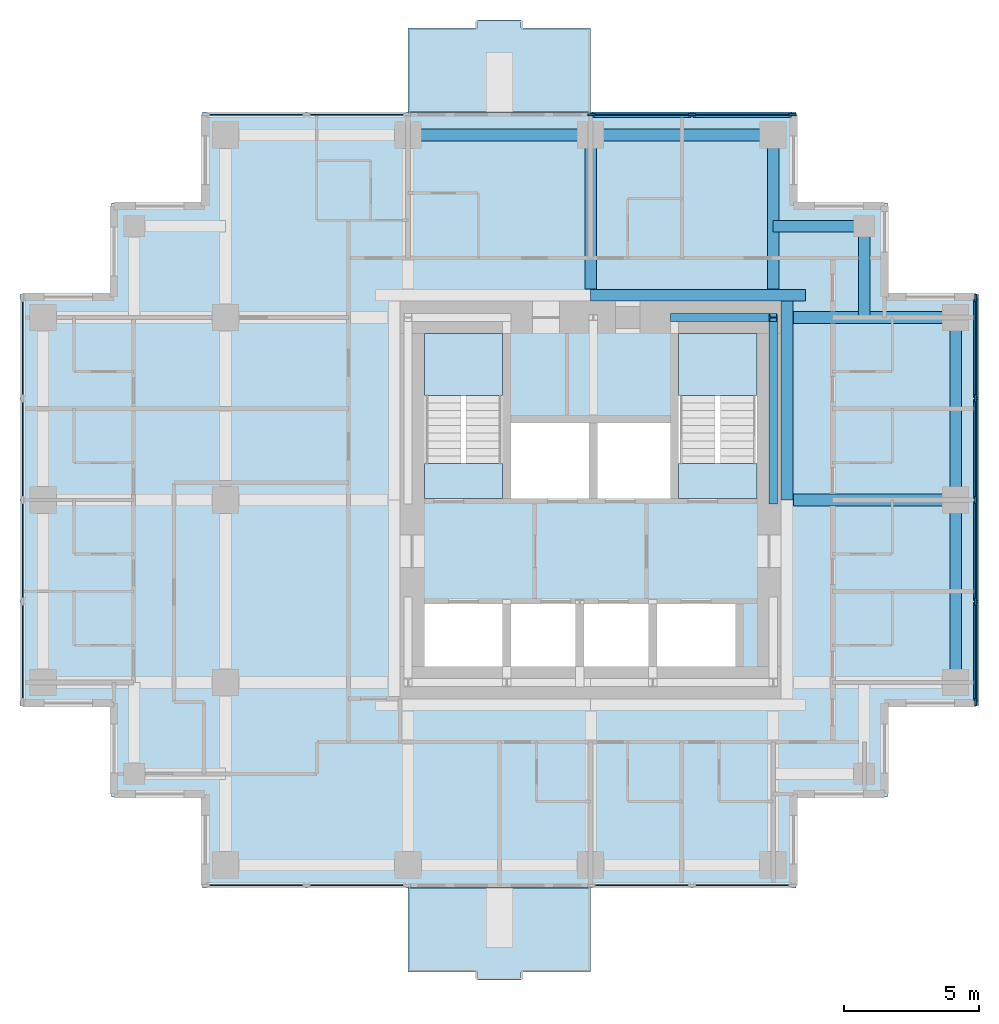
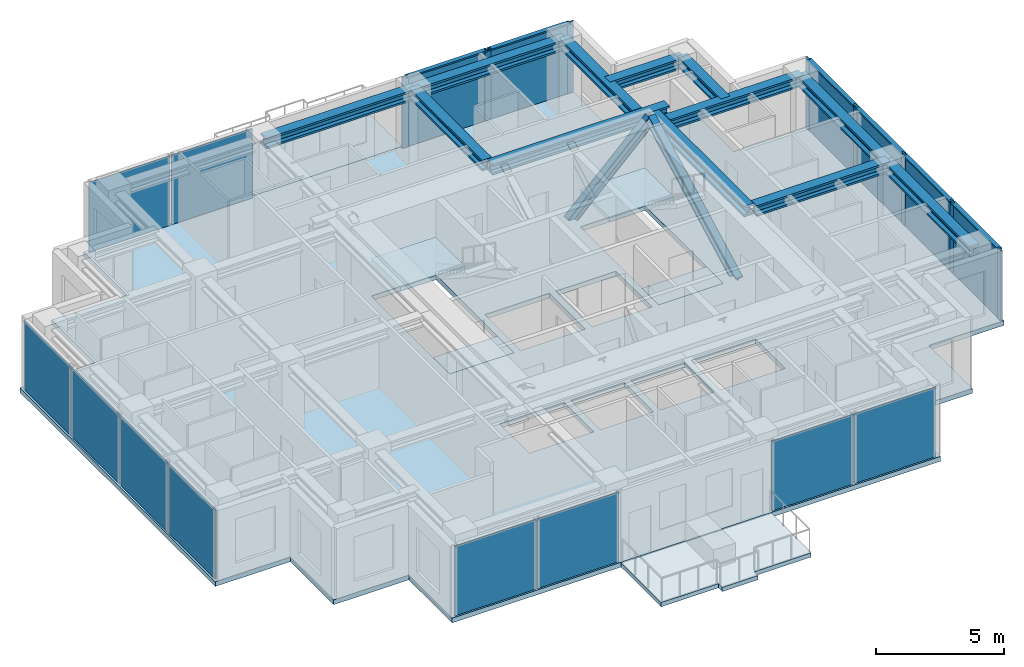
# One storey, part 2 of 8: 16 members, 16 plates, 12 beams, 7 slabs, 8 elements without a shape of their own.
"""IFC4 building model written with IfcOpenShell, lengths in metres."""

from ifc_helpers import new_model, si_unit, direction, frame, origin, origin_2d, place, context, subcontext, project, spatial, polyline, rectangle, i_section, outline, extrude, material, layer, layer_set, material_profile, profile_set, type_object, element, aggregate, save


model = new_model("IFC4")

# Units and contexts
model_context = context("Model", 3, precision=1e-05, world=origin(), true_north=direction((0.0, 1.0)))
body_context = subcontext(model_context, "Body", "Model", "MODEL_VIEW")
ifc_project = project(units=[si_unit("LENGTHUNIT", "METRE"), si_unit("AREAUNIT", "SQUARE_METRE"), si_unit("VOLUMEUNIT", "CUBIC_METRE"), si_unit("PLANEANGLEUNIT", "RADIAN"), si_unit("MASSUNIT", "GRAM", prefix="KILO")], contexts=[model_context])

# Site, building, storey
site_placement = place(None, origin())
site = spatial("IfcSite", under=ifc_project, at=site_placement, CompositionType="ELEMENT")
building_placement = place(site_placement, origin())
building = spatial("IfcBuilding", under=site, at=building_placement, Name="Nyansa Garden Tower", CompositionType="ELEMENT")
storey_placement = place(building_placement, frame((0.0, 0.0, 240.300048828125)))
storey = spatial("IfcBuildingStorey", under=building, at=storey_placement, Name="L65", CompositionType="ELEMENT", Elevation=240.300048828125)

# Curtain wall, members
ifc_material_1 = material(Name="Black anodised aluminium, dark tinted double glazing", Category="aluminium")
curtain_wall_type = type_object("IfcCurtainWallType", Name="Inner skin curtain wall ISW-D", PredefinedType="USERDEFINED", material=ifc_material_1)
curtain_wall_1_placement = place(storey_placement, origin())
curtain_wall_1 = element("IfcCurtainWall", 1, at=curtain_wall_1_placement, inside=storey, type_object=curtain_wall_type, Name="Inner skin curtain wall L65 E", ObjectType="UNITISED CURTAIN WALL", PredefinedType="USERDEFINED")
ifc_material_2 = material(Name="Black anodised aluminium", Category="aluminium")
ifc_material_profile_1 = material_profile(ifc_material_2, rectangle(XDim=0.070068359375, YDim=0.27490234375, at=origin_2d()), Name="Mullion 275x70")
ifc_profile_set_1 = profile_set([ifc_material_profile_1], Name="Black anodised aluminium")
member_type_1 = type_object("IfcMemberType", Name="Mullion ISW-D 275x70", PredefinedType="MULLION", material=ifc_profile_set_1)
member_1_placement = place(storey_placement, frame((34.5, 12.784912109375, 0.0), z_axis=(0.0, 0.0, 1.0), x_axis=(-1.0, 0.0, 0.0)))
member_1 = element("IfcMember", 2, at=member_1_placement, type_object=member_type_1, Name="ISW-D mullion 1", PredefinedType="MULLION", context=body_context, shape_type="SweptSolid", body=[
    extrude(rectangle(XDim=0.070068359375, YDim=0.27490234375, at=origin_2d()), origin(), (0.0, 0.0, 1.0), 3.375),
])
member_2_placement = place(storey_placement, frame((34.5, 16.5, 0.0), z_axis=(0.0, 0.0, 1.0), x_axis=(-1.0, 0.0, 0.0)))
member_2 = element("IfcMember", 3, at=member_2_placement, type_object=member_type_1, Name="ISW-D mullion 2", PredefinedType="MULLION", context=body_context, shape_type="SweptSolid", body=[
    extrude(rectangle(XDim=0.070068359375, YDim=0.27490234375, at=origin_2d()), origin(), (0.0, 0.0, 1.0), 3.375),
])
member_3_placement = place(storey_placement, frame((34.5, 20.25, 0.0), z_axis=(0.0, 0.0, 1.0), x_axis=(-1.0, 0.0, 0.0)))
member_3 = element("IfcMember", 4, at=member_3_placement, type_object=member_type_1, Name="ISW-D mullion 3", PredefinedType="MULLION", context=body_context, shape_type="SweptSolid", body=[
    extrude(rectangle(XDim=0.070068359375, YDim=0.27490234375, at=origin_2d()), origin(), (0.0, 0.0, 1.0), 3.375),
])
member_4_placement = place(storey_placement, frame((34.5, 24.0, 0.0), z_axis=(0.0, 0.0, 1.0), x_axis=(-1.0, 0.0, 0.0)))
member_4 = element("IfcMember", 5, at=member_4_placement, type_object=member_type_1, Name="ISW-D mullion 4", PredefinedType="MULLION", context=body_context, shape_type="SweptSolid", body=[
    extrude(rectangle(XDim=0.070068359375, YDim=0.27490234375, at=origin_2d()), origin(), (0.0, 0.0, 1.0), 3.375),
])
member_5_placement = place(storey_placement, frame((34.5, 27.715087890625, 0.0), z_axis=(0.0, 0.0, 1.0), x_axis=(-1.0, 0.0, 0.0)))
member_5 = element("IfcMember", 6, at=member_5_placement, type_object=member_type_1, Name="ISW-D mullion 5", PredefinedType="MULLION", context=body_context, shape_type="SweptSolid", body=[
    extrude(rectangle(XDim=0.070068359375, YDim=0.27490234375, at=origin_2d()), origin(), (0.0, 0.0, 1.0), 3.375),
])

curtain_wall_2_placement = place(storey_placement, origin())
curtain_wall_2 = element("IfcCurtainWall", 7, at=curtain_wall_2_placement, inside=storey, type_object=curtain_wall_type, Name="Inner skin curtain wall L65 N", ObjectType="UNITISED CURTAIN WALL", PredefinedType="USERDEFINED")
member_6_placement = place(storey_placement, frame((27.715087890625, 34.5, 0.0), z_axis=(0.0, 0.0, 1.0), x_axis=(0.0, -1.0, 0.0)))
member_6 = element("IfcMember", 8, at=member_6_placement, type_object=member_type_1, Name="ISW-D mullion 1", PredefinedType="MULLION", context=body_context, shape_type="SweptSolid", body=[
    extrude(rectangle(XDim=0.070068359375, YDim=0.27490234375, at=origin_2d()), origin(), (0.0, 0.0, 1.0), 3.375),
])
member_7_placement = place(storey_placement, frame((24.0, 34.5, 0.0), z_axis=(0.0, 0.0, 1.0), x_axis=(0.0, -1.0, 0.0)))
member_7 = element("IfcMember", 9, at=member_7_placement, type_object=member_type_1, Name="ISW-D mullion 2", PredefinedType="MULLION", context=body_context, shape_type="SweptSolid", body=[
    extrude(rectangle(XDim=0.070068359375, YDim=0.27490234375, at=origin_2d()), origin(), (0.0, 0.0, 1.0), 3.375),
])
member_8_placement = place(storey_placement, frame((20.284912109375, 34.5, 0.0), z_axis=(0.0, 0.0, 1.0), x_axis=(0.0, -1.0, 0.0)))
member_8 = element("IfcMember", 10, at=member_8_placement, type_object=member_type_1, Name="ISW-D mullion 3", PredefinedType="MULLION", context=body_context, shape_type="SweptSolid", body=[
    extrude(rectangle(XDim=0.070068359375, YDim=0.27490234375, at=origin_2d()), origin(), (0.0, 0.0, 1.0), 3.375),
])

# Members
ifc_material_3 = material(Name="Steel S355", Category="steel")
ifc_material_profile_2 = material_profile(ifc_material_3, i_section(OverallWidth=0.306884765625, OverallDepth=0.431884765625, WebThickness=0.02099609375, FlangeThickness=0.0400390625, FilletRadius=0.027099609375, at=origin_2d()), Name="HE 400 M")
ifc_profile_set_2 = profile_set([ifc_material_profile_2], Name="Steel S355")
member_type_2 = type_object("IfcMemberType", Name="Perimeter brace HE 400 M", PredefinedType="BRACE", material=ifc_profile_set_2)
member_9_placement = place(storey_placement, frame((23.35009765625, 27.0, 0.0), z_axis=(0.711971340796, 0.0, 0.702208523079), x_axis=(0.0, 1.0, 0.0)))
element("IfcMember", 11, at=member_9_placement, inside=storey, type_object=member_type_2, Name="Core brace CN4 L65", PredefinedType="BRACE", context=body_context, shape_type="SweptSolid", body=[
    extrude(i_section(OverallWidth=0.306884765625, OverallDepth=0.431884765625, WebThickness=0.02099609375, FlangeThickness=0.0400390625, FilletRadius=0.027099609375, at=origin_2d()), origin(), (0.0, 0.0, 1.0), 5.12646484375),
])
member_10_placement = place(storey_placement, frame((27.0, 20.199951171875, 0.0), z_axis=(0.0, 0.883797178129, 0.467870225524), x_axis=(-1.0, 0.0, 0.0)))
element("IfcMember", 12, at=member_10_placement, inside=storey, type_object=member_type_2, Name="Core brace CE8 L65", PredefinedType="BRACE", context=body_context, shape_type="SweptSolid", body=[
    extrude(i_section(OverallWidth=0.306884765625, OverallDepth=0.431884765625, WebThickness=0.02099609375, FlangeThickness=0.0400390625, FilletRadius=0.027099609375, at=origin_2d()), origin(), (0.0, 0.0, 1.0), 7.694091796875),
])

# Beams
ifc_material_4 = material(Name="Steel S355", Category="steel")
ifc_material_profile_3 = material_profile(ifc_material_4, i_section(OverallWidth=0.431884765625, OverallDepth=0.498046875, WebThickness=0.0556640625, FlangeThickness=0.0888671875, FilletRadius=0.014892578125, at=origin_2d()), Name="HD 400x744")
ifc_profile_set_3 = profile_set([ifc_material_profile_3], Name="Steel S355")
beam_type_1 = type_object("IfcBeamType", Name="Steel beam SBD1-744 HD 400x744", PredefinedType="BEAM", material=ifc_profile_set_3)
beam_1_placement = place(storey_placement, frame((20.25, 28.050048828125, 3.1259765625), z_axis=(0.0, 1.0, 0.0), x_axis=(-1.0, 0.0, 0.0)))
element("IfcBeam", 13, at=beam_1_placement, inside=storey, type_object=beam_type_1, Name="Steel beam 5/28.050-5/J L66", PredefinedType="BEAM", context=body_context, shape_type="SweptSolid", body=[
    extrude(i_section(OverallWidth=0.431884765625, OverallDepth=0.498046875, WebThickness=0.0556640625, FlangeThickness=0.0888671875, FilletRadius=0.014892578125, at=origin_2d()), origin(), (0.0, 0.0, 1.0), 5.699951171875),
])
beam_2_placement = place(storey_placement, frame((27.75, 20.25, 3.1259765625), z_axis=(1.0, 0.0, 0.0), x_axis=(0.0, 1.0, 0.0)))
element("IfcBeam", 14, at=beam_2_placement, inside=storey, type_object=beam_type_1, Name="Steel beam 27.750/G-7/G L66", PredefinedType="BEAM", context=body_context, shape_type="SweptSolid", body=[
    extrude(i_section(OverallWidth=0.431884765625, OverallDepth=0.498046875, WebThickness=0.0556640625, FlangeThickness=0.0888671875, FilletRadius=0.014892578125, at=origin_2d()), origin(), (0.0, 0.0, 1.0), 6.0),
])
beam_3_placement = place(storey_placement, frame((27.0, 28.050048828125, 3.1259765625), z_axis=(0.0, 1.0, 0.0), x_axis=(-1.0, 0.0, 0.0)))
element("IfcBeam", 15, at=beam_3_placement, inside=storey, type_object=beam_type_1, Name="Steel beam 6/28.050-6/J L66", PredefinedType="BEAM", context=body_context, shape_type="SweptSolid", body=[
    extrude(i_section(OverallWidth=0.431884765625, OverallDepth=0.498046875, WebThickness=0.0556640625, FlangeThickness=0.0888671875, FilletRadius=0.014892578125, at=origin_2d()), origin(), (0.0, 0.0, 1.0), 5.699951171875),
])
beam_4_placement = place(storey_placement, frame((27.75, 27.0, 3.1259765625), z_axis=(1.0, 0.0, 0.0), x_axis=(0.0, 1.0, 0.0)))
element("IfcBeam", 16, at=beam_4_placement, inside=storey, type_object=beam_type_1, Name="Steel beam 27.750/H-7/H L66", PredefinedType="BEAM", context=body_context, shape_type="SweptSolid", body=[
    extrude(i_section(OverallWidth=0.431884765625, OverallDepth=0.498046875, WebThickness=0.0556640625, FlangeThickness=0.0888671875, FilletRadius=0.014892578125, at=origin_2d()), origin(), (0.0, 0.0, 1.0), 6.0),
])
ifc_material_5 = material(Name="Steel S355", Category="steel")
ifc_material_profile_4 = material_profile(ifc_material_5, i_section(OverallWidth=0.431884765625, OverallDepth=0.498046875, WebThickness=0.0556640625, FlangeThickness=0.0888671875, FilletRadius=0.014892578125, at=origin_2d()), Name="HD 400x744")
ifc_profile_set_4 = profile_set([ifc_material_profile_4], Name="Steel S355")
beam_type_2 = type_object("IfcBeamType", Name="Steel beam SEBD-744 HD 400x744", PredefinedType="BEAM", material=ifc_profile_set_4)
for number, where, z_axis, x_axis, name in (
    (17, (13.5, 33.75, 3.1259765625), (1.0, 0.0, 0.0), (0.0, 1.0, 0.0), "Steel edge beam 4/J-5/J L66"),
    (18, (20.25, 33.75, 3.1259765625), (1.0, 0.0, 0.0), (0.0, 1.0, 0.0), "Steel edge beam 5/J-6/J L66"),
    (19, (33.75, 13.5, 3.1259765625), (0.0, 1.0, 0.0), (-1.0, 0.0, 0.0), "Steel edge beam 7/F-7/G L66"),
    (20, (33.75, 20.25, 3.1259765625), (0.0, 1.0, 0.0), (-1.0, 0.0, 0.0), "Steel edge beam 7/G-7/H L66"),
):
    element("IfcBeam", number, at=place(storey_placement, frame(where, z_axis=z_axis, x_axis=x_axis)), inside=storey, type_object=beam_type_2, Name=name, PredefinedType="BEAM", context=body_context, shape_type="SweptSolid", body=[
        extrude(i_section(OverallWidth=0.431884765625, OverallDepth=0.498046875, WebThickness=0.0556640625, FlangeThickness=0.0888671875, FilletRadius=0.014892578125, at=origin_2d()), origin(), (0.0, 0.0, 1.0), 6.75),
    ])
ifc_material_6 = material(Name="Steel S355", Category="steel")
ifc_material_profile_5 = material_profile(ifc_material_6, i_section(OverallWidth=0.431884765625, OverallDepth=0.498046875, WebThickness=0.0556640625, FlangeThickness=0.0888671875, FilletRadius=0.014892578125, at=origin_2d()), Name="HD 400x744")
ifc_profile_set_5 = profile_set([ifc_material_profile_5], Name="Steel S355")
beam_type_3 = type_object("IfcBeamType", Name="Steel beam SLB1-744 HD 400x744", PredefinedType="BEAM", material=ifc_profile_set_5)
beam_5_placement = place(storey_placement, frame((27.51611328125, 20.25, 3.1259765625), z_axis=(0.0, 1.0, 0.0), x_axis=(-1.0, 0.0, 0.0)))
element("IfcBeam", 21, at=beam_5_placement, inside=storey, type_object=beam_type_3, Name="Steel core ledger beam E.2 L66", PredefinedType="BEAM", context=body_context, shape_type="SweptSolid", body=[
    extrude(i_section(OverallWidth=0.431884765625, OverallDepth=0.498046875, WebThickness=0.0556640625, FlangeThickness=0.0888671875, FilletRadius=0.014892578125, at=origin_2d()), origin(), (0.0, 0.0, 1.0), 7.35009765625),
])
beam_6_placement = place(storey_placement, frame((28.199951171875, 27.81591796875, 3.1259765625), z_axis=(-1.0, 0.0, 0.0), x_axis=(0.0, -1.0, 0.0)))
element("IfcBeam", 22, at=beam_6_placement, inside=storey, type_object=beam_type_3, Name="Steel core ledger beam N.1 L66", PredefinedType="BEAM", context=body_context, shape_type="SweptSolid", body=[
    extrude(i_section(OverallWidth=0.431884765625, OverallDepth=0.498046875, WebThickness=0.0556640625, FlangeThickness=0.0888671875, FilletRadius=0.014892578125, at=origin_2d()), origin(), (0.0, 0.0, 1.0), 7.949951171875),
])
ifc_material_7 = material(Name="Steel S355", Category="steel")
ifc_material_profile_6 = material_profile(ifc_material_7, i_section(OverallWidth=0.431884765625, OverallDepth=0.498046875, WebThickness=0.0556640625, FlangeThickness=0.0888671875, FilletRadius=0.014892578125, at=origin_2d()), Name="HD 400x744")
ifc_profile_set_6 = profile_set([ifc_material_profile_6], Name="Steel S355")
beam_type_4 = type_object("IfcBeamType", Name="Steel beam SSB1-744 HD 400x744", PredefinedType="BEAM", material=ifc_profile_set_6)
for number, where, z_axis, x_axis, name in (
    (23, (30.375, 30.375, 3.1259765625), (0.0, -1.0, 0.0), (1.0, 0.0, 0.0), "Steel step beam 30.375/30.375 L66"),
    (24, (30.375, 30.375, 3.1259765625), (-1.0, 0.0, 0.0), (0.0, -1.0, 0.0), "Steel step beam 30.375/30.375 L66"),
):
    element("IfcBeam", number, at=place(storey_placement, frame(where, z_axis=z_axis, x_axis=x_axis)), inside=storey, type_object=beam_type_4, Name=name, PredefinedType="BEAM", context=body_context, shape_type="SweptSolid", body=[
        extrude(i_section(OverallWidth=0.431884765625, OverallDepth=0.498046875, WebThickness=0.0556640625, FlangeThickness=0.0888671875, FilletRadius=0.014892578125, at=origin_2d()), origin(), (0.0, 0.0, 1.0), 3.375),
    ])

# Member
ifc_material_8 = material(Name="Black anodised aluminium", Category="aluminium")
ifc_material_profile_7 = material_profile(ifc_material_8, rectangle(XDim=0.195068359375, YDim=0.070068359375, at=origin_2d()), Name="Transom 195x70")
ifc_profile_set_7 = profile_set([ifc_material_profile_7], Name="Black anodised aluminium")
member_type_3 = type_object("IfcMemberType", Name="Transom ISW-D 195x70", PredefinedType="USERDEFINED", material=ifc_profile_set_7)
member_11_placement = place(storey_placement, frame((34.5, 12.820068359375, 3.33984375), z_axis=(0.0, 1.0, 0.0), x_axis=(-1.0, 0.0, 0.0)))
member_11 = element("IfcMember", 25, at=member_11_placement, type_object=member_type_3, Name="ISW-D transom 1", ObjectType="TRANSOM", PredefinedType="USERDEFINED", context=body_context, shape_type="SweptSolid", body=[
    extrude(rectangle(XDim=0.195068359375, YDim=0.070068359375, at=origin_2d()), origin(), (0.0, 0.0, 1.0), 3.64501953125),
])

member_12_placement = place(storey_placement, frame((34.5, 16.534912109375, 3.33984375), z_axis=(0.0, 1.0, 0.0), x_axis=(-1.0, 0.0, 0.0)))
member_12 = element("IfcMember", 26, at=member_12_placement, type_object=member_type_3, Name="ISW-D transom 2", ObjectType="TRANSOM", PredefinedType="USERDEFINED", context=body_context, shape_type="SweptSolid", body=[
    extrude(rectangle(XDim=0.195068359375, YDim=0.070068359375, at=origin_2d()), origin(), (0.0, 0.0, 1.0), 3.68017578125),
])

member_13_placement = place(storey_placement, frame((34.5, 20.284912109375, 3.33984375), z_axis=(0.0, 1.0, 0.0), x_axis=(-1.0, 0.0, 0.0)))
member_13 = element("IfcMember", 27, at=member_13_placement, type_object=member_type_3, Name="ISW-D transom 3", ObjectType="TRANSOM", PredefinedType="USERDEFINED", context=body_context, shape_type="SweptSolid", body=[
    extrude(rectangle(XDim=0.195068359375, YDim=0.070068359375, at=origin_2d()), origin(), (0.0, 0.0, 1.0), 3.68017578125),
])

member_14_placement = place(storey_placement, frame((34.5, 24.034912109375, 3.33984375), z_axis=(0.0, 1.0, 0.0), x_axis=(-1.0, 0.0, 0.0)))
member_14 = element("IfcMember", 28, at=member_14_placement, type_object=member_type_3, Name="ISW-D transom 4", ObjectType="TRANSOM", PredefinedType="USERDEFINED", context=body_context, shape_type="SweptSolid", body=[
    extrude(rectangle(XDim=0.195068359375, YDim=0.070068359375, at=origin_2d()), origin(), (0.0, 0.0, 1.0), 3.64501953125),
])

member_15_placement = place(storey_placement, frame((27.679931640625, 34.5, 3.33984375), z_axis=(-1.0, 0.0, 0.0), x_axis=(0.0, -1.0, 0.0)))
member_15 = element("IfcMember", 29, at=member_15_placement, type_object=member_type_3, Name="ISW-D transom 1", ObjectType="TRANSOM", PredefinedType="USERDEFINED", context=body_context, shape_type="SweptSolid", body=[
    extrude(rectangle(XDim=0.195068359375, YDim=0.070068359375, at=origin_2d()), origin(), (0.0, 0.0, 1.0), 3.64501953125),
])

member_16_placement = place(storey_placement, frame((23.965087890625, 34.5, 3.33984375), z_axis=(-1.0, 0.0, 0.0), x_axis=(0.0, -1.0, 0.0)))
member_16 = element("IfcMember", 30, at=member_16_placement, type_object=member_type_3, Name="ISW-D transom 2", ObjectType="TRANSOM", PredefinedType="USERDEFINED", context=body_context, shape_type="SweptSolid", body=[
    extrude(rectangle(XDim=0.195068359375, YDim=0.070068359375, at=origin_2d()), origin(), (0.0, 0.0, 1.0), 3.64501953125),
])

# Slabs
ifc_material_9 = material(Name="Concrete C40/50", Category="concrete")
ifc_layer_1 = layer(ifc_material_9, 0.199951171875)
ifc_layer_set_1 = layer_set([ifc_layer_1], Name="Balcony slab BS200")
slab_type_1 = type_object("IfcSlabType", Name="Balcony slab BS200", PredefinedType="FLOOR", material=ifc_layer_set_1)
slab_1_placement = place(storey_placement, frame((0.0, 0.0, -0.239990234375)))
element("IfcSlab", 31, at=slab_1_placement, inside=storey, type_object=slab_type_1, Name="Balcony L65 S", PredefinedType="FLOOR", context=body_context, shape_type="SweptSolid", body=[
    extrude(outline(polyline([(13.5, 5.89990234375), (20.25, 5.89990234375), (20.25, 2.800048828125), (17.675048828125, 2.800048828125), (17.675048828125, 2.5), (16.074951171875, 2.5), (16.074951171875, 2.800048828125), (13.5, 2.800048828125), (13.5, 5.89990234375)])), origin(), (0.0, 0.0, 1.0), 0.199951171875),
])
slab_2_placement = place(storey_placement, frame((0.0, 0.0, -0.239990234375)))
element("IfcSlab", 32, at=slab_2_placement, inside=storey, type_object=slab_type_1, Name="Balcony L65 N", PredefinedType="FLOOR", context=body_context, shape_type="SweptSolid", body=[
    extrude(outline(polyline([(13.5, 34.60009765625), (20.25, 34.60009765625), (20.25, 37.699951171875), (17.675048828125, 37.699951171875), (17.675048828125, 38.0), (16.074951171875, 38.0), (16.074951171875, 37.699951171875), (13.5, 37.699951171875), (13.5, 34.60009765625)])), origin(), (0.0, 0.0, 1.0), 0.199951171875),
])

# Plate
ifc_material_10 = material(Name="Dark tinted laminated double glazing", Category="glass")
ifc_layer_2 = layer(ifc_material_10, 0.0439453125)
ifc_layer_set_2 = layer_set([ifc_layer_2], Name="Dark tinted vision panel VP-D")
plate_type = type_object("IfcPlateType", Name="Dark tinted vision panel VP-D", PredefinedType="CURTAIN_PANEL", material=ifc_layer_set_2)
plate_1_placement = place(storey_placement, frame((34.5, 14.642578125, 0.0), z_axis=(0.0, 0.0, 1.0), x_axis=(0.0, 1.0, 0.0)))
plate_1 = element("IfcPlate", 33, at=plate_1_placement, type_object=plate_type, Name="ISW-D panel 1", PredefinedType="CURTAIN_PANEL", context=body_context, shape_type="SweptSolid", body=[
    extrude(rectangle(XDim=3.64501953125, YDim=0.0439453125, at=origin_2d()), origin(), (0.0, 0.0, 1.0), 3.304931640625),
])

plate_2_placement = place(storey_placement, frame((34.5, 18.375, 0.0), z_axis=(0.0, 0.0, 1.0), x_axis=(0.0, 1.0, 0.0)))
plate_2 = element("IfcPlate", 34, at=plate_2_placement, type_object=plate_type, Name="ISW-D panel 2", PredefinedType="CURTAIN_PANEL", context=body_context, shape_type="SweptSolid", body=[
    extrude(rectangle(XDim=3.679931640625, YDim=0.0439453125, at=origin_2d()), origin(), (0.0, 0.0, 1.0), 3.304931640625),
])

plate_3_placement = place(storey_placement, frame((34.5, 22.125, 0.0), z_axis=(0.0, 0.0, 1.0), x_axis=(0.0, 1.0, 0.0)))
plate_3 = element("IfcPlate", 35, at=plate_3_placement, type_object=plate_type, Name="ISW-D panel 3", PredefinedType="CURTAIN_PANEL", context=body_context, shape_type="SweptSolid", body=[
    extrude(rectangle(XDim=3.679931640625, YDim=0.0439453125, at=origin_2d()), origin(), (0.0, 0.0, 1.0), 3.304931640625),
])

plate_4_placement = place(storey_placement, frame((34.5, 25.857421875, 0.0), z_axis=(0.0, 0.0, 1.0), x_axis=(0.0, 1.0, 0.0)))
plate_4 = element("IfcPlate", 36, at=plate_4_placement, type_object=plate_type, Name="ISW-D panel 4", PredefinedType="CURTAIN_PANEL", context=body_context, shape_type="SweptSolid", body=[
    extrude(rectangle(XDim=3.64501953125, YDim=0.0439453125, at=origin_2d()), origin(), (0.0, 0.0, 1.0), 3.304931640625),
])

aggregate(curtain_wall_1, [member_1, member_2, member_3, member_4, member_5, member_11, plate_1, member_12, plate_2, member_13, plate_3, member_14, plate_4])

# Curtain wall, plates
curtain_wall_3_placement = place(storey_placement, origin())
curtain_wall_3 = element("IfcCurtainWall", 37, at=curtain_wall_3_placement, inside=storey, type_object=curtain_wall_type, Name="Inner skin curtain wall L65 N", ObjectType="UNITISED CURTAIN WALL", PredefinedType="USERDEFINED")
plate_5_placement = place(storey_placement, frame((11.607421875, 34.5, 0.0), z_axis=(0.0, 0.0, 1.0), x_axis=(-1.0, 0.0, 0.0)))
plate_5 = element("IfcPlate", 38, at=plate_5_placement, type_object=plate_type, Name="ISW-D panel 1", PredefinedType="CURTAIN_PANEL", context=body_context, shape_type="SweptSolid", body=[
    extrude(rectangle(XDim=3.64501953125, YDim=0.0439453125, at=origin_2d()), origin(), (0.0, 0.0, 1.0), 3.304931640625),
])
plate_6_placement = place(storey_placement, frame((7.892578125, 34.5, 0.0), z_axis=(0.0, 0.0, 1.0), x_axis=(-1.0, 0.0, 0.0)))
plate_6 = element("IfcPlate", 39, at=plate_6_placement, type_object=plate_type, Name="ISW-D panel 2", PredefinedType="CURTAIN_PANEL", context=body_context, shape_type="SweptSolid", body=[
    extrude(rectangle(XDim=3.64501953125, YDim=0.0439453125, at=origin_2d()), origin(), (0.0, 0.0, 1.0), 3.304931640625),
])
aggregate(curtain_wall_3, [plate_5, plate_6])

# Plate
plate_7_placement = place(storey_placement, frame((25.857421875, 34.5, 0.0), z_axis=(0.0, 0.0, 1.0), x_axis=(-1.0, 0.0, 0.0)))
plate_7 = element("IfcPlate", 40, at=plate_7_placement, type_object=plate_type, Name="ISW-D panel 1", PredefinedType="CURTAIN_PANEL", context=body_context, shape_type="SweptSolid", body=[
    extrude(rectangle(XDim=3.64501953125, YDim=0.0439453125, at=origin_2d()), origin(), (0.0, 0.0, 1.0), 3.304931640625),
])

plate_8_placement = place(storey_placement, frame((22.142578125, 34.5, 0.0), z_axis=(0.0, 0.0, 1.0), x_axis=(-1.0, 0.0, 0.0)))
plate_8 = element("IfcPlate", 41, at=plate_8_placement, type_object=plate_type, Name="ISW-D panel 2", PredefinedType="CURTAIN_PANEL", context=body_context, shape_type="SweptSolid", body=[
    extrude(rectangle(XDim=3.64501953125, YDim=0.0439453125, at=origin_2d()), origin(), (0.0, 0.0, 1.0), 3.304931640625),
])

aggregate(curtain_wall_2, [member_6, member_7, member_8, member_15, plate_7, member_16, plate_8])

# Curtain wall, plates
curtain_wall_4_placement = place(storey_placement, origin())
curtain_wall_4 = element("IfcCurtainWall", 42, at=curtain_wall_4_placement, inside=storey, type_object=curtain_wall_type, Name="Inner skin curtain wall L65 W", ObjectType="UNITISED CURTAIN WALL", PredefinedType="USERDEFINED")
plate_9_placement = place(storey_placement, frame((-0.75, 25.857421875, 0.0), z_axis=(0.0, 0.0, 1.0), x_axis=(0.0, -1.0, 0.0)))
plate_9 = element("IfcPlate", 43, at=plate_9_placement, type_object=plate_type, Name="ISW-D panel 1", PredefinedType="CURTAIN_PANEL", context=body_context, shape_type="SweptSolid", body=[
    extrude(rectangle(XDim=3.64501953125, YDim=0.0439453125, at=origin_2d()), origin(), (0.0, 0.0, 1.0), 3.304931640625),
])
plate_10_placement = place(storey_placement, frame((-0.75, 22.125, 0.0), z_axis=(0.0, 0.0, 1.0), x_axis=(0.0, -1.0, 0.0)))
plate_10 = element("IfcPlate", 44, at=plate_10_placement, type_object=plate_type, Name="ISW-D panel 2", PredefinedType="CURTAIN_PANEL", context=body_context, shape_type="SweptSolid", body=[
    extrude(rectangle(XDim=3.679931640625, YDim=0.0439453125, at=origin_2d()), origin(), (0.0, 0.0, 1.0), 3.304931640625),
])
plate_11_placement = place(storey_placement, frame((-0.75, 18.375, 0.0), z_axis=(0.0, 0.0, 1.0), x_axis=(0.0, -1.0, 0.0)))
plate_11 = element("IfcPlate", 45, at=plate_11_placement, type_object=plate_type, Name="ISW-D panel 3", PredefinedType="CURTAIN_PANEL", context=body_context, shape_type="SweptSolid", body=[
    extrude(rectangle(XDim=3.679931640625, YDim=0.0439453125, at=origin_2d()), origin(), (0.0, 0.0, 1.0), 3.304931640625),
])
plate_12_placement = place(storey_placement, frame((-0.75, 14.642578125, 0.0), z_axis=(0.0, 0.0, 1.0), x_axis=(0.0, -1.0, 0.0)))
plate_12 = element("IfcPlate", 46, at=plate_12_placement, type_object=plate_type, Name="ISW-D panel 4", PredefinedType="CURTAIN_PANEL", context=body_context, shape_type="SweptSolid", body=[
    extrude(rectangle(XDim=3.64501953125, YDim=0.0439453125, at=origin_2d()), origin(), (0.0, 0.0, 1.0), 3.304931640625),
])
aggregate(curtain_wall_4, [plate_9, plate_10, plate_11, plate_12])

curtain_wall_5_placement = place(storey_placement, origin())
curtain_wall_5 = element("IfcCurtainWall", 47, at=curtain_wall_5_placement, inside=storey, type_object=curtain_wall_type, Name="Inner skin curtain wall L65 S", ObjectType="UNITISED CURTAIN WALL", PredefinedType="USERDEFINED")
plate_13_placement = place(storey_placement, frame((7.892578125, 6.0, 0.0), z_axis=(0.0, 0.0, 1.0), x_axis=(1.0, 0.0, 0.0)))
plate_13 = element("IfcPlate", 48, at=plate_13_placement, type_object=plate_type, Name="ISW-D panel 1", PredefinedType="CURTAIN_PANEL", context=body_context, shape_type="SweptSolid", body=[
    extrude(rectangle(XDim=3.64501953125, YDim=0.0439453125, at=origin_2d()), origin(), (0.0, 0.0, 1.0), 3.304931640625),
])
plate_14_placement = place(storey_placement, frame((11.607421875, 6.0, 0.0), z_axis=(0.0, 0.0, 1.0), x_axis=(1.0, 0.0, 0.0)))
plate_14 = element("IfcPlate", 49, at=plate_14_placement, type_object=plate_type, Name="ISW-D panel 2", PredefinedType="CURTAIN_PANEL", context=body_context, shape_type="SweptSolid", body=[
    extrude(rectangle(XDim=3.64501953125, YDim=0.0439453125, at=origin_2d()), origin(), (0.0, 0.0, 1.0), 3.304931640625),
])
aggregate(curtain_wall_5, [plate_13, plate_14])

curtain_wall_6_placement = place(storey_placement, origin())
curtain_wall_6 = element("IfcCurtainWall", 50, at=curtain_wall_6_placement, inside=storey, type_object=curtain_wall_type, Name="Inner skin curtain wall L65 S", ObjectType="UNITISED CURTAIN WALL", PredefinedType="USERDEFINED")
plate_15_placement = place(storey_placement, frame((22.142578125, 6.0, 0.0), z_axis=(0.0, 0.0, 1.0), x_axis=(1.0, 0.0, 0.0)))
plate_15 = element("IfcPlate", 51, at=plate_15_placement, type_object=plate_type, Name="ISW-D panel 1", PredefinedType="CURTAIN_PANEL", context=body_context, shape_type="SweptSolid", body=[
    extrude(rectangle(XDim=3.64501953125, YDim=0.0439453125, at=origin_2d()), origin(), (0.0, 0.0, 1.0), 3.304931640625),
])
plate_16_placement = place(storey_placement, frame((25.857421875, 6.0, 0.0), z_axis=(0.0, 0.0, 1.0), x_axis=(1.0, 0.0, 0.0)))
plate_16 = element("IfcPlate", 52, at=plate_16_placement, type_object=plate_type, Name="ISW-D panel 2", PredefinedType="CURTAIN_PANEL", context=body_context, shape_type="SweptSolid", body=[
    extrude(rectangle(XDim=3.64501953125, YDim=0.0439453125, at=origin_2d()), origin(), (0.0, 0.0, 1.0), 3.304931640625),
])
aggregate(curtain_wall_6, [plate_15, plate_16])

# Slab
ifc_material_11 = material(Name="Concrete C40/50", Category="concrete")
ifc_layer_3 = layer(ifc_material_11, 0.22509765625)
ifc_layer_set_3 = layer_set([ifc_layer_3], Name="Floor slab FS225")
slab_type_2 = type_object("IfcSlabType", Name="Floor slab FS225", PredefinedType="FLOOR", material=ifc_layer_set_3)
slab_3_placement = place(storey_placement, frame((0.0, 0.0, -0.22509765625)))
element("IfcSlab", 53, at=slab_3_placement, inside=storey, type_object=slab_type_2, Name="Floor slab L65", PredefinedType="FLOOR", context=body_context, shape_type="SweptSolid", body=[
    extrude(outline(polyline([(34.60009765625, 12.64990234375), (31.22509765625, 12.64990234375), (31.22509765625, 9.27490234375), (27.85009765625, 9.27490234375), (27.85009765625, 5.89990234375), (5.89990234375, 5.89990234375), (5.89990234375, 9.27490234375), (2.52490234375, 9.27490234375), (2.52490234375, 12.64990234375), (-0.85009765625, 12.64990234375), (-0.85009765625, 27.85009765625), (2.52490234375, 27.85009765625), (2.52490234375, 31.22509765625), (5.89990234375, 31.22509765625), (5.89990234375, 34.60009765625), (27.85009765625, 34.60009765625), (27.85009765625, 31.22509765625), (31.22509765625, 31.22509765625), (31.22509765625, 27.85009765625), (34.60009765625, 27.85009765625), (34.60009765625, 12.64990234375)]), holes=[polyline([(14.10009765625, 14.10009765625), (17.0, 14.10009765625), (17.0, 16.39990234375), (14.10009765625, 16.39990234375), (14.10009765625, 14.10009765625)]), polyline([(17.300048828125, 14.10009765625), (19.699951171875, 14.10009765625), (19.699951171875, 16.39990234375), (17.300048828125, 16.39990234375), (17.300048828125, 14.10009765625)]), polyline([(20.0, 14.10009765625), (22.39990234375, 14.10009765625), (22.39990234375, 16.39990234375), (20.0, 16.39990234375), (20.0, 14.10009765625)]), polyline([(22.699951171875, 14.10009765625), (25.60009765625, 14.10009765625), (25.60009765625, 16.39990234375), (22.699951171875, 16.39990234375), (22.699951171875, 14.10009765625)]), polyline([(17.300048828125, 20.300048828125), (20.199951171875, 20.300048828125), (20.199951171875, 23.10009765625), (17.300048828125, 23.10009765625), (17.300048828125, 20.300048828125)]), polyline([(20.5, 20.300048828125), (23.199951171875, 20.300048828125), (23.199951171875, 23.10009765625), (20.5, 23.10009765625), (20.5, 20.300048828125)]), polyline([(14.10009765625, 20.300048828125), (17.0, 20.300048828125), (17.0, 26.39990234375), (14.10009765625, 26.39990234375), (14.10009765625, 20.300048828125)]), polyline([(23.5, 20.300048828125), (26.39990234375, 20.300048828125), (26.39990234375, 26.39990234375), (23.5, 26.39990234375), (23.5, 20.300048828125)])]), origin(), (0.0, 0.0, 1.0), 0.22509765625),
])

# Stair, slabs
ifc_material_12 = material(Name="Precast concrete C40/50", Category="concrete")
stair_type_1 = type_object("IfcStairType", Name="Stair S1 180x280", PredefinedType="HALF_TURN_STAIR", material=ifc_material_12)
stair_1_placement = place(storey_placement, origin())
stair_1 = element("IfcStair", 54, at=stair_1_placement, inside=storey, type_object=stair_type_1, Name="Stair S1 L65", PredefinedType="HALF_TURN_STAIR")
ifc_material_13 = material(Name="Concrete C40/50", Category="concrete")
ifc_layer_4 = layer(ifc_material_13, 0.199951171875)
ifc_layer_set_4 = layer_set([ifc_layer_4], Name="Stair landing SL200")
slab_type_3 = type_object("IfcSlabType", Name="Stair landing SL200", PredefinedType="LANDING", material=ifc_layer_set_4)
slab_4_placement = place(storey_placement, frame((0.0, 0.0, -0.199951171875)))
slab_4 = element("IfcSlab", 55, at=slab_4_placement, type_object=slab_type_3, Name="S1 landing 1", PredefinedType="LANDING", context=body_context, shape_type="SweptSolid", body=[
    extrude(outline(polyline([(14.10009765625, 20.300048828125), (17.0, 20.300048828125), (17.0, 21.60009765625), (14.10009765625, 21.60009765625), (14.10009765625, 20.300048828125)])), origin(), (0.0, 0.0, 1.0), 0.199951171875),
])
slab_5_placement = place(storey_placement, frame((0.0, 0.0, 1.599853515625)))
slab_5 = element("IfcSlab", 56, at=slab_5_placement, type_object=slab_type_3, Name="S1 landing 2", PredefinedType="LANDING", context=body_context, shape_type="SweptSolid", body=[
    extrude(outline(polyline([(14.10009765625, 24.1201171875), (17.0, 24.1201171875), (17.0, 26.39990234375), (14.10009765625, 26.39990234375), (14.10009765625, 24.1201171875)])), origin(), (0.0, 0.0, 1.0), 0.2001953125),
])
aggregate(stair_1, [slab_4, slab_5])

ifc_material_14 = material(Name="Precast concrete C40/50", Category="concrete")
stair_type_2 = type_object("IfcStairType", Name="Stair S2 180x280", PredefinedType="HALF_TURN_STAIR", material=ifc_material_14)
stair_2_placement = place(storey_placement, origin())
stair_2 = element("IfcStair", 57, at=stair_2_placement, inside=storey, type_object=stair_type_2, Name="Stair S2 L65", PredefinedType="HALF_TURN_STAIR")
slab_6_placement = place(storey_placement, frame((0.0, 0.0, -0.199951171875)))
slab_6 = element("IfcSlab", 58, at=slab_6_placement, type_object=slab_type_3, Name="S2 landing 1", PredefinedType="LANDING", context=body_context, shape_type="SweptSolid", body=[
    extrude(outline(polyline([(23.5, 20.300048828125), (26.39990234375, 20.300048828125), (26.39990234375, 21.60009765625), (23.5, 21.60009765625), (23.5, 20.300048828125)])), origin(), (0.0, 0.0, 1.0), 0.199951171875),
])
slab_7_placement = place(storey_placement, frame((0.0, 0.0, 1.599853515625)))
slab_7 = element("IfcSlab", 59, at=slab_7_placement, type_object=slab_type_3, Name="S2 landing 2", PredefinedType="LANDING", context=body_context, shape_type="SweptSolid", body=[
    extrude(outline(polyline([(23.5, 24.1201171875), (26.39990234375, 24.1201171875), (26.39990234375, 26.39990234375), (23.5, 26.39990234375), (23.5, 24.1201171875)])), origin(), (0.0, 0.0, 1.0), 0.2001953125),
])
aggregate(stair_2, [slab_6, slab_7])

save(model, "model.ifc")
